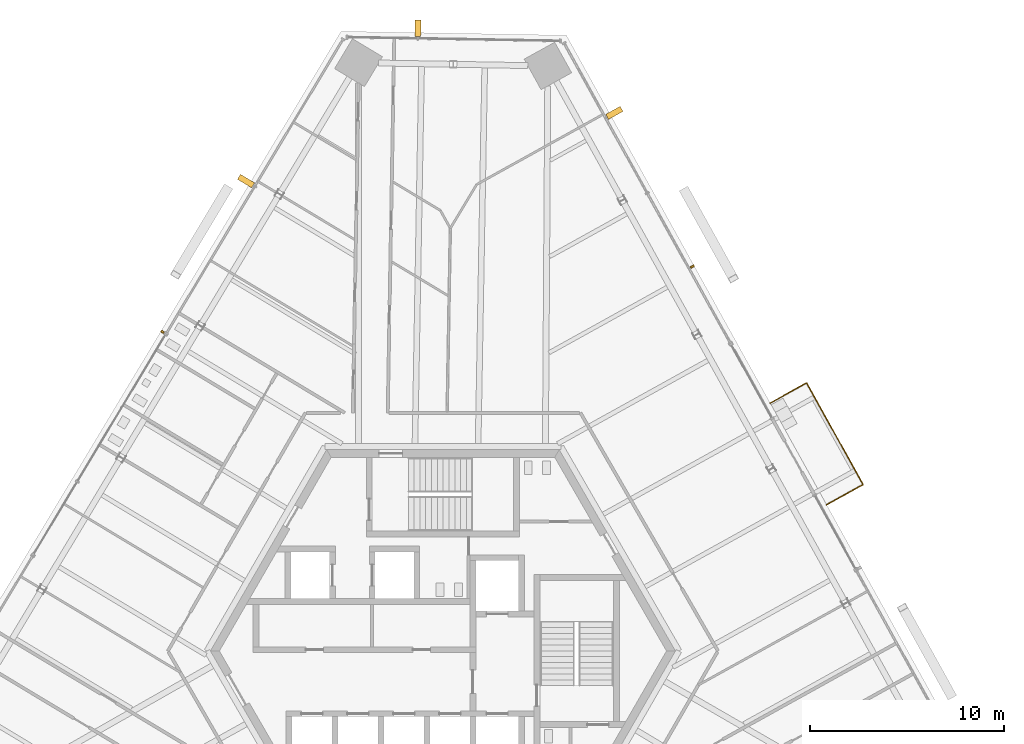
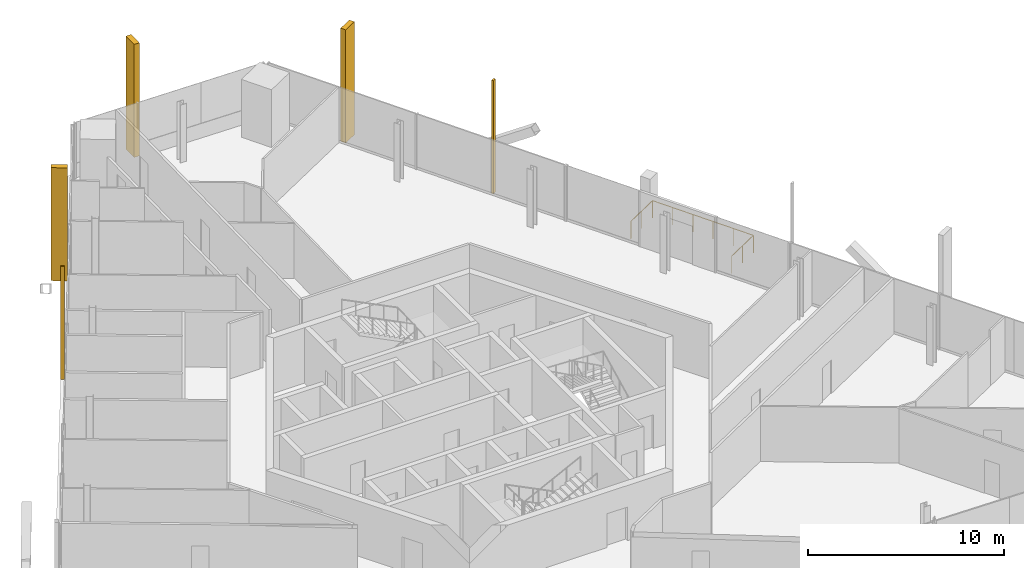
# One storey, part 18 of 21: 5 shading devices, 1 railing.
"""IFC4 building model written with IfcOpenShell, lengths in metres."""

import ifcopenshell
import ifcopenshell.guid

model = None  # the IFC model being written
_history = None  # IfcOwnerHistory: only IFC2X3 demands one
_inside = {}  # id of a spatial element -> (the spatial element, [elements in it])
_under = {}  # id of a project, library or spatial element -> (it, [spatial elements below it])
_declared = {}  # id of a project -> (the project, [libraries it declares])
_typed = {}  # id of a type object -> (the type object, [elements of that type])
_made_of = {}  # id of a material, layer set ... -> (it, [elements and type objects made of it])


def new_model(schema):
    """Start an empty IFC model of exactly this schema.

    Asked for "IFC4X3", IfcOpenShell would pick the latest addendum, in which some entities
    have other attributes; the version numbers below select the first issue.
    IFC2X3 requires an IfcOwnerHistory on every rooted entity: one is made here for all.
    """
    global model, _history
    if schema == "IFC4X3":
        model = ifcopenshell.file(schema_version=(4, 3, 0, 0))
    else:
        model = ifcopenshell.file(schema=schema)
    _inside.clear()
    _under.clear()
    _declared.clear()
    _typed.clear()
    _made_of.clear()
    _history = None
    if model.schema == "IFC2X3":
        org = make("IfcOrganization", Name="unknown")
        user = make(
            "IfcPersonAndOrganization",
            ThePerson=make("IfcPerson", FamilyName="unknown"),
            TheOrganization=org,
        )
        app = make(
            "IfcApplication",
            ApplicationDeveloper=org,
            Version="unknown",
            ApplicationFullName="unknown",
            ApplicationIdentifier="unknown",
        )
        _history = make(
            "IfcOwnerHistory",
            OwningUser=user,
            OwningApplication=app,
            ChangeAction="ADDED",
            CreationDate=0,
        )
    return model


def make(cls, **values):
    """One entity of the class cls with the attributes given. An attribute that is None is left unset."""
    return model.create_entity(
        cls, **{name: value for name, value in values.items() if value is not None}
    )


def rooted(cls, **values):
    """An entity with a GlobalId (a new one), such as an element, a storey or a relation."""
    return make(cls, GlobalId=ifcopenshell.guid.new(), OwnerHistory=_history, **values)


def si_unit(unit_type, name, prefix=None):
    """IfcSIUnit, for example si_unit("LENGTHUNIT", "METRE", prefix="MILLI")."""
    return make("IfcSIUnit", UnitType=unit_type, Prefix=prefix, Name=name)


def assignment(units):
    """IfcUnitAssignment: the units of a project."""
    return None if units is None else make("IfcUnitAssignment", Units=units)


def point(xyz):
    """IfcCartesianPoint."""
    return None if xyz is None else make("IfcCartesianPoint", Coordinates=xyz)


def direction(xyz):
    """IfcDirection."""
    return None if xyz is None else make("IfcDirection", DirectionRatios=xyz)


def frame(location, z_axis=None, x_axis=None):
    """IfcAxis2Placement3D, a coordinate frame: its origin and axes. An axis left out is left unset."""
    return make(
        "IfcAxis2Placement3D",
        Location=point(location),
        Axis=direction(z_axis),
        RefDirection=direction(x_axis),
    )


def frame_2d(location, x_axis=None):
    """IfcAxis2Placement2D, a coordinate frame in the plane: its origin and x axis."""
    return make(
        "IfcAxis2Placement2D", Location=point(location), RefDirection=direction(x_axis)
    )


def origin():
    """The frame at (0, 0, 0) with its axes left unset."""
    return frame((0.0, 0.0, 0.0))


def origin_2d():
    """The frame at (0, 0) in the plane with its x axis left unset."""
    return frame_2d((0.0, 0.0))


def place(relative_to, where):
    """IfcLocalPlacement: puts the frame where relative to a parent placement (None: the world)."""
    return make(
        "IfcLocalPlacement", PlacementRelTo=relative_to, RelativePlacement=where
    )


def context(
    kind, dimensions, precision=None, world=None, true_north=None, identifier=None
):
    """IfcGeometricRepresentationContext, for example the 3D "Model" context."""
    return make(
        "IfcGeometricRepresentationContext",
        ContextIdentifier=identifier,
        ContextType=kind,
        CoordinateSpaceDimension=dimensions,
        Precision=precision,
        WorldCoordinateSystem=world,
        TrueNorth=true_north,
    )


def subcontext(parent, identifier, kind, view, scale=None):
    """IfcGeometricRepresentationSubContext, for example "Body" below "Model"."""
    return make(
        "IfcGeometricRepresentationSubContext",
        ContextIdentifier=identifier,
        ContextType=kind,
        ParentContext=parent,
        TargetScale=scale,
        TargetView=view,
    )


def project(units=None, contexts=None):
    """IfcProject with its units and contexts."""
    return rooted(
        "IfcProject",
        Name="project",
        RepresentationContexts=contexts,
        UnitsInContext=assignment(units),
    )


def spatial(cls, under=None, at=None, **own):
    """A site, building, storey or space (cls), placed at a placement, below another one or the project."""
    s = rooted(cls, ObjectPlacement=at, **own)
    if under is not None:
        _under.setdefault(under.id(), (under, []))[1].append(s)
    return s


def profile(cls, at=None, kind="AREA", **sizes):
    """A parametric profile (cls). Its sizes go by their IFC names, for example OverallWidth=200.0."""
    return make(cls, ProfileType=kind, Position=at, **sizes)


def rectangle(**sizes):
    """IfcRectangleProfileDef."""
    return profile("IfcRectangleProfileDef", **sizes)


def circle(**sizes):
    """IfcCircleProfileDef."""
    return profile("IfcCircleProfileDef", **sizes)


def extrude(swept, where, along, depth):
    """IfcExtrudedAreaSolid: the profile swept, set in the frame where, extruded along a direction by depth."""
    return make(
        "IfcExtrudedAreaSolid",
        SweptArea=swept,
        Position=where,
        ExtrudedDirection=direction(along),
        Depth=depth,
    )


def shape(context_of_items, identifier, shape_type, items):
    """IfcShapeRepresentation: the items that make up one representation, for example the "Body"."""
    return make(
        "IfcShapeRepresentation",
        ContextOfItems=context_of_items,
        RepresentationIdentifier=identifier,
        RepresentationType=shape_type,
        Items=items,
    )


def source(mapping_origin, context_of_items, identifier, shape_type, items):
    """IfcRepresentationMap: a shape defined once, which mapped items show again and again."""
    return make(
        "IfcRepresentationMap",
        MappingOrigin=mapping_origin,
        MappedRepresentation=shape(context_of_items, identifier, shape_type, items),
    )


def transform(
    local_origin,
    x_axis=None,
    y_axis=None,
    z_axis=None,
    scale=None,
    scale2=None,
    scale3=None,
    uniform=True,
):
    """IfcCartesianTransformationOperator3D, or its non-uniform kind. x_axis, y_axis, z_axis: its Axis1, 2, 3."""
    if uniform:
        return make(
            "IfcCartesianTransformationOperator3D",
            Axis1=direction(x_axis),
            Axis2=direction(y_axis),
            LocalOrigin=point(local_origin),
            Scale=scale,
            Axis3=direction(z_axis),
        )
    return make(
        "IfcCartesianTransformationOperator3DnonUniform",
        Axis1=direction(x_axis),
        Axis2=direction(y_axis),
        LocalOrigin=point(local_origin),
        Scale=scale,
        Axis3=direction(z_axis),
        Scale2=scale2,
        Scale3=scale3,
    )


def mapped(mapping_source, mapping_target):
    """IfcMappedItem: shows the shape of a source again, moved by a transform."""
    return make(
        "IfcMappedItem", MappingSource=mapping_source, MappingTarget=mapping_target
    )


def material(Name=None, Category=None):
    """IfcMaterial."""
    return make("IfcMaterial", Name=Name, Category=Category)


def made_of(thing, what):
    """Note that an element or type object is made of a material, layer set ...; save() writes the relation."""
    if what is not None:
        _made_of.setdefault(what.id(), (what, []))[1].append(thing)
    return thing


def type_object(cls, material=None, **own):
    """A type object (cls), such as IfcWallType, which elements share."""
    return made_of(rooted(cls, **own), material)


def element(
    cls,
    number,
    at=None,
    inside=None,
    cuts=None,
    type_object=None,
    material=None,
    context=None,
    identifier="Body",
    shape_type=None,
    held_by="IfcProductDefinitionShape",
    body=None,
    shapes=None,
    **own,
):
    """One element of the class cls, such as IfcWall. Its Tag is "e" and its number.

    at: its placement. inside: the storey or other place that contains it. cuts: it is an
    opening in that element (IfcRelVoidsElement). A single representation is given by context,
    identifier, shape_type and body (its items); several are given by shapes. held_by: the class
    of the entity that holds the representations. save() writes the other relations.
    """
    e = rooted(cls, Tag="e%d" % number, ObjectPlacement=at, **own)
    if body is not None:
        shapes = [shape(context, identifier, shape_type, body)]
    if shapes is not None:
        e.Representation = make(held_by, Representations=shapes)
    if inside is not None:
        _inside.setdefault(inside.id(), (inside, []))[1].append(e)
    if cuts is not None:
        rooted(
            "IfcRelVoidsElement", RelatingBuildingElement=cuts, RelatedOpeningElement=e
        )
    if type_object is not None:
        _typed.setdefault(type_object.id(), (type_object, []))[1].append(e)
    return made_of(e, material)


def aggregate(whole, parts):
    """IfcRelAggregates: a whole, such as a stair, and the parts it consists of."""
    return rooted("IfcRelAggregates", RelatingObject=whole, RelatedObjects=parts)


def save(model, path):
    """Write the relations noted so far, then the file.

    IfcRelAggregates (storeys below a building ...), IfcRelContainedInSpatialStructure (elements
    in a storey), IfcRelDefinesByType, IfcRelAssociatesMaterial and IfcRelDeclares: one each for
    every whole, place, type object, material and project.
    """
    for whole, parts in _under.values():
        aggregate(whole, parts)
    for where, things in _inside.values():
        rooted(
            "IfcRelContainedInSpatialStructure",
            RelatedElements=things,
            RelatingStructure=where,
        )
    for kind, things in _typed.values():
        rooted("IfcRelDefinesByType", RelatedObjects=things, RelatingType=kind)
    for what, things in _made_of.values():
        rooted("IfcRelAssociatesMaterial", RelatedObjects=things, RelatingMaterial=what)
    for by, libraries in _declared.values():
        rooted("IfcRelDeclares", RelatingContext=by, RelatedDefinitions=libraries)
    model.write(path)


model = new_model("IFC4")

# Units and contexts
model_context = context("Model", 3, precision=1e-05, world=origin(), true_north=direction((0.0, 1.0)))
body_context = subcontext(model_context, "Body", "Model", "MODEL_VIEW")
ifc_project = project(units=[si_unit("LENGTHUNIT", "METRE"), si_unit("AREAUNIT", "SQUARE_METRE"), si_unit("VOLUMEUNIT", "CUBIC_METRE"), si_unit("PLANEANGLEUNIT", "RADIAN"), si_unit("MASSUNIT", "GRAM", prefix="KILO")], contexts=[model_context])

# Site, building, storey
site_placement = place(None, origin())
site = spatial("IfcSite", under=ifc_project, at=site_placement, CompositionType="ELEMENT")
building_placement = place(site_placement, origin())
building = spatial("IfcBuilding", under=site, at=building_placement, Name="Triune Harvest Tower", CompositionType="ELEMENT")
storey_placement = place(building_placement, frame((0.0, 0.0, 187.10009765625)))
storey = spatial("IfcBuildingStorey", under=building, at=storey_placement, Name="L48", CompositionType="ELEMENT", Elevation=187.10009765625)

# Railing
ifc_material_1 = material(Name="Glass", Category="glass")
railing_type = type_object("IfcRailingType", Name="GD-2 balcony guard 1100", PredefinedType="GUARDRAIL", material=ifc_material_1)
railing_placement = place(storey_placement, frame((19.801513671875, 7.5458984375, 0.0)))
element("IfcRailing", 1, at=railing_placement, inside=storey, type_object=railing_type, Name="Balcony guard B5-F1 L48.6", PredefinedType="GUARDRAIL", context=body_context, shape_type="SweptSolid", body=[
    extrude(circle(Radius=0.02392578125, at=origin_2d()), frame((0.0, 0.0, 1.076171875), z_axis=(0.874564458791, 0.484909277515, 0.0), x_axis=(-0.484909277515, 0.874564458791, 0.0)), (0.0, 0.0, 1.0), 2.14794921875),
    extrude(circle(Radius=0.02392578125, at=origin_2d()), frame((1.87841796875, 1.04150390625, 1.076171875), z_axis=(-0.484830825187, 0.874607952713, 0.0), x_axis=(-0.874607952713, -0.484830825187, 0.0)), (0.0, 0.0, 1.0), 6.0),
    extrude(circle(Radius=0.02392578125, at=origin_2d()), frame((-1.030517578125, 6.2890625, 1.076171875), z_axis=(-0.874612662112, -0.484822329595, 0.0), x_axis=(0.484822329595, -0.874612662112, 0.0)), (0.0, 0.0, 1.0), 2.147705078125),
    extrude(circle(Radius=0.02099609375, at=origin_2d()), origin(), (0.0, 0.0, 1.0), 1.052001953125),
    extrude(circle(Radius=0.02099609375, at=origin_2d()), frame((0.939208984375, 0.520751953125, 0.0)), (0.0, 0.0, 1.0), 1.052001953125),
    extrude(circle(Radius=0.02099609375, at=origin_2d()), frame((1.87841796875, 1.04150390625, 0.0)), (0.0, 0.0, 1.0), 1.052001953125),
    extrude(circle(Radius=0.02099609375, at=origin_2d()), frame((1.296630859375, 2.091064453125, 0.0)), (0.0, 0.0, 1.0), 1.052001953125),
    extrude(circle(Radius=0.02099609375, at=origin_2d()), frame((0.71484375, 3.140625, 0.0)), (0.0, 0.0, 1.0), 1.052001953125),
    extrude(circle(Radius=0.02099609375, at=origin_2d()), frame((0.133056640625, 4.18994140625, 0.0)), (0.0, 0.0, 1.0), 1.052001953125),
    extrude(circle(Radius=0.02099609375, at=origin_2d()), frame((-0.44873046875, 5.239501953125, 0.0)), (0.0, 0.0, 1.0), 1.052001953125),
    extrude(circle(Radius=0.02099609375, at=origin_2d()), frame((-1.030517578125, 6.2890625, 0.0)), (0.0, 0.0, 1.0), 1.052001953125),
    extrude(circle(Radius=0.02099609375, at=origin_2d()), frame((-1.9697265625, 5.7685546875, 0.0)), (0.0, 0.0, 1.0), 1.052001953125),
    extrude(circle(Radius=0.02099609375, at=origin_2d()), frame((-2.908935546875, 5.247802734375, 0.0)), (0.0, 0.0, 1.0), 1.052001953125),
])

# Shading devices
ifc_material_2 = material(Name="Aluminium bronze anodised", Category="aluminium")
shared_shape_1 = source(origin(), body_context, "Body", "SweptSolid", [
    extrude(rectangle(XDim=0.10009765625, YDim=0.199951171875, at=origin_2d()), origin(), (0.0, 0.0, 1.0), 7.0400390625),
])
for number, where, z_axis, x_axis, name in (
    (2, (12.87060546875, 19.84326171875, 0.0), (0.0, 0.0, 1.0), (-0.48480848305, 0.874620337497, 0.0), "FN-1 fin B5-F1.9 L48"),
    (3, (-14.461669921875, 16.466552734375, 0.0), (0.0, 0.0, 1.0), (-0.515036632219, -0.857168167557, 0.0), "FN-1 fin B5-F3.5 L48"),
):
    element("IfcShadingDevice", number, at=place(storey_placement, frame(where, z_axis=z_axis, x_axis=x_axis)), inside=storey, material=ifc_material_2, Name=name, ObjectType="FIN", PredefinedType="USERDEFINED", context=body_context, shape_type="MappedRepresentation", body=[
        mapped(shared_shape_1, transform((0.0, 0.0, 0.0), scale=1.0)),
    ])
shared_shape_2 = source(origin(), body_context, "Body", "SweptSolid", [
    extrude(rectangle(XDim=0.300048828125, YDim=0.85009765625, at=origin_2d()), origin(), (0.0, 0.0, 1.0), 7.0400390625),
])
for number, where, z_axis, x_axis, name in (
    (4, (8.84716796875, 27.77197265625, 0.0), (0.0, 0.0, 1.0), (-0.48480848305, 0.874620337497, 0.0), "FN-2 fin B5-F1.11 L48"),
    (5, (-1.289306640625, 32.137451171875, 0.0), (0.0, 0.0, 1.0), (-0.999847801404, 0.017446318452, 0.0), "FN-2 fin B5-F2.3 L48"),
    (6, (-10.162353515625, 24.2529296875, 0.0), (0.0, 0.0, 1.0), (-0.515036632219, -0.857168167557, 0.0), "FN-2 fin B5-F3.3 L48"),
):
    element("IfcShadingDevice", number, at=place(storey_placement, frame(where, z_axis=z_axis, x_axis=x_axis)), inside=storey, material=ifc_material_2, Name=name, ObjectType="FIN", PredefinedType="USERDEFINED", context=body_context, shape_type="MappedRepresentation", body=[
        mapped(shared_shape_2, transform((0.0, 0.0, 0.0), scale=1.0)),
    ])

save(model, "model.ifc")
